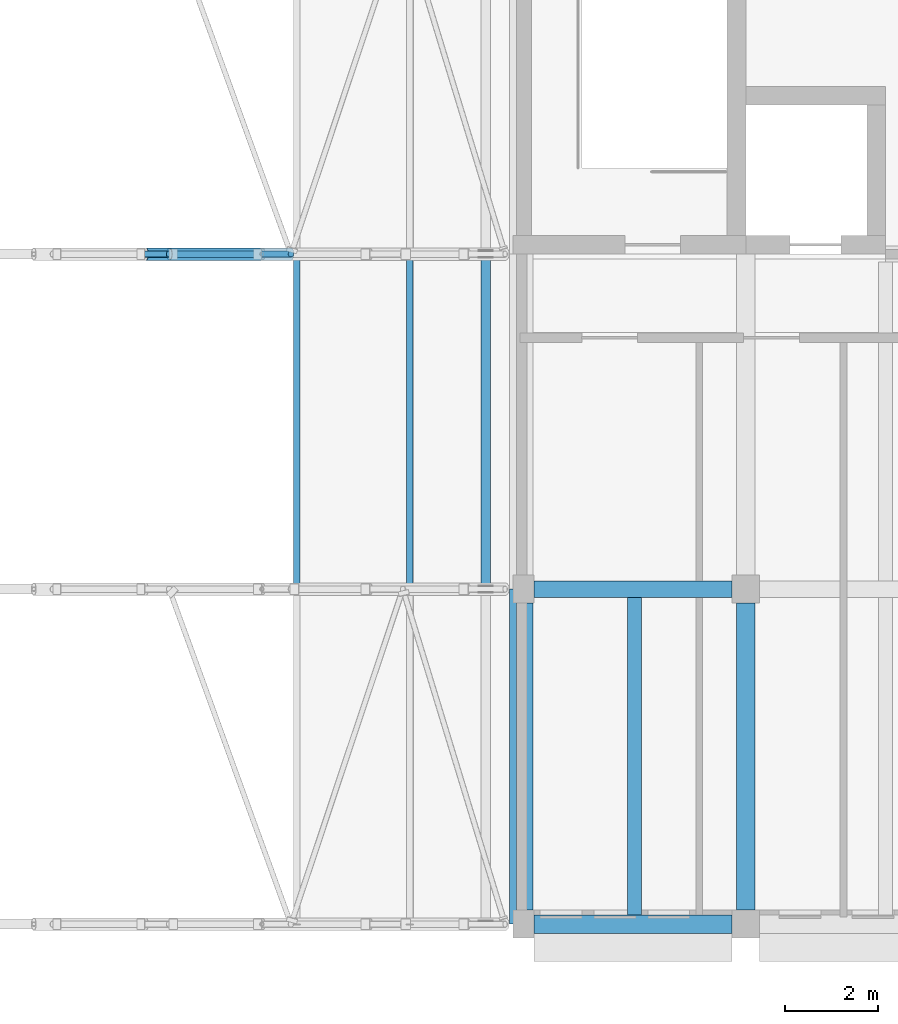
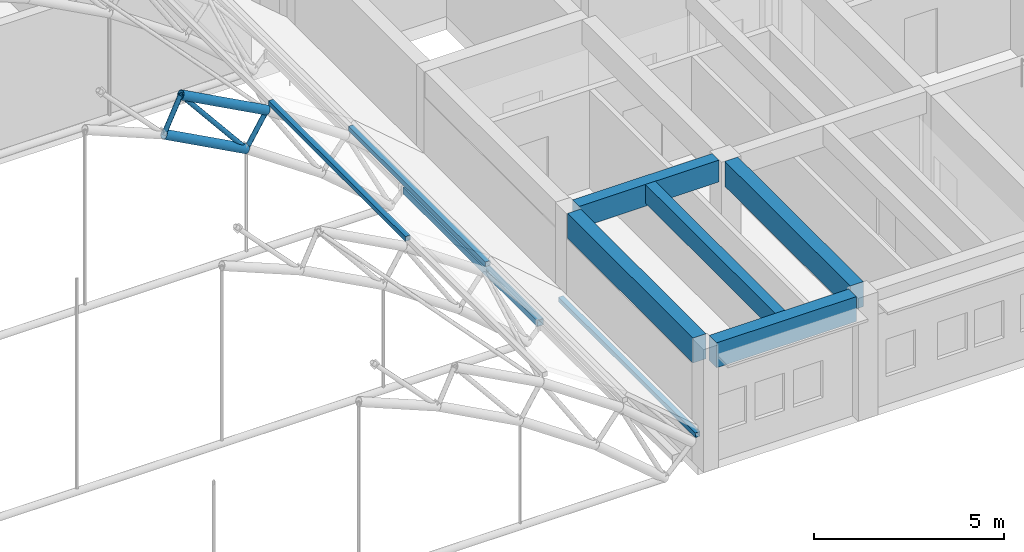
# One storey, part 20 of 101: 9 members, 5 beams.
"""IFC4 building model written with IfcOpenShell, lengths in metres."""

from ifc_helpers import new_model, si_unit, direction, frame, origin, origin_2d, place, context, subcontext, project, spatial, rectangle, hollow_rectangle, hollow_circle, extrude, material, material_profile, profile_set, type_object, element, save


model = new_model("IFC4")

# Units and contexts
model_context = context("Model", 3, precision=1e-05, world=origin(), true_north=direction((0.0, 1.0)))
body_context = subcontext(model_context, "Body", "Model", "MODEL_VIEW")
ifc_project = project(units=[si_unit("LENGTHUNIT", "METRE"), si_unit("AREAUNIT", "SQUARE_METRE"), si_unit("VOLUMEUNIT", "CUBIC_METRE"), si_unit("PLANEANGLEUNIT", "RADIAN"), si_unit("MASSUNIT", "GRAM", prefix="KILO")], contexts=[model_context])

# Site, building, storey
site_placement = place(None, origin())
site = spatial("IfcSite", under=ifc_project, at=site_placement, CompositionType="ELEMENT")
building_placement = place(site_placement, origin())
building = spatial("IfcBuilding", under=site, at=building_placement, Name="Laocheng Heights Fire and Rescue Headquarters", CompositionType="ELEMENT")
storey_placement = place(building_placement, frame((0.0, 0.0, 8.39990234375)))
storey = spatial("IfcBuildingStorey", under=building, at=storey_placement, Name="L02", CompositionType="ELEMENT", Elevation=8.39990234375)

# Members
ifc_material_1 = material(Name="Steel Q355B", Category="steel")
ifc_material_profile_1 = material_profile(ifc_material_1, hollow_circle(Radius=0.136474609375, WallThickness=0.011962890625, at=origin_2d()), Name="CHS 273x12")
ifc_profile_set_1 = profile_set([ifc_material_profile_1], Name="Steel Q355B")
member_type_1 = type_object("IfcMemberType", Name="BAY ROOF CHORD CHS 273x12", PredefinedType="CHORD", material=ifc_profile_set_1)
member_1_placement = place(storey_placement, frame((47.610107421875, 14.39990234375, 5.80810546875), z_axis=(0.880624173368, 0.0, -0.473815433771), x_axis=(0.0, 1.0, 0.0)))
element("IfcMember", 1, at=member_1_placement, inside=storey, type_object=member_type_1, Name="Truss TR3 upper chord 14", PredefinedType="CHORD", context=body_context, shape_type="SweptSolid", body=[
    extrude(hollow_circle(Radius=0.136474609375, WallThickness=0.011962890625, at=origin_2d()), origin(), (0.0, 0.0, 1.0), 2.969482421875),
])
member_2_placement = place(storey_placement, frame((47.10009765625, 14.39990234375, 4.72216796875), z_axis=(0.880645014109, 0.0, -0.473776697532), x_axis=(0.0, 1.0, 0.0)))
element("IfcMember", 2, at=member_2_placement, inside=storey, type_object=member_type_1, Name="Truss TR3 lower chord 14", PredefinedType="CHORD", context=body_context, shape_type="SweptSolid", body=[
    extrude(hollow_circle(Radius=0.136474609375, WallThickness=0.011962890625, at=origin_2d()), origin(), (0.0, 0.0, 1.0), 2.8388671875),
])
ifc_material_2 = material(Name="Steel Q355B", Category="steel")
ifc_material_profile_2 = material_profile(ifc_material_2, hollow_circle(Radius=0.06982421875, WallThickness=0.006103515625, at=origin_2d()), Name="CHS 139.7x6")
ifc_profile_set_2 = profile_set([ifc_material_profile_2], Name="Steel Q355B")
member_type_2 = type_object("IfcMemberType", Name="BAY ROOF DIAG CHS 139.7x6", PredefinedType="BRACE", material=ifc_profile_set_2)
member_3_placement = place(storey_placement, frame((49.60009765625, 14.39990234375, 3.377197265625), z_axis=(-0.633440900174, 0.0, 0.773791073861), x_axis=(0.0, -1.0, 0.0)))
element("IfcMember", 3, at=member_3_placement, inside=storey, type_object=member_type_2, Name="Truss diagonal TR3-14", PredefinedType="BRACE", context=body_context, shape_type="SweptSolid", body=[
    extrude(hollow_circle(Radius=0.06982421875, WallThickness=0.006103515625, at=origin_2d()), origin(), (0.0, 0.0, 1.0), 3.1416015625),
])
ifc_material_3 = material(Name="Steel Q355B", Category="steel")
ifc_material_profile_3 = material_profile(ifc_material_3, hollow_rectangle(XDim=0.199951171875, YDim=0.199951171875, WallThickness=0.008056640625, at=origin_2d()), Name="SHS 200x200x8")
ifc_profile_set_3 = profile_set([ifc_material_profile_3], Name="Steel Q355B")
member_type_3 = type_object("IfcMemberType", Name="BAY ROOF EAVES SHS 200x200x8", PredefinedType="STRUT", material=ifc_profile_set_3)
member_4_placement = place(storey_placement, frame((54.4140625, 7.269775390625, 0.4345703125), z_axis=(0.0, 1.0, 0.0), x_axis=(-1.0, 0.0, 0.0)))
element("IfcMember", 4, at=member_4_placement, inside=storey, type_object=member_type_3, Name="Eaves strut E2", PredefinedType="STRUT", context=body_context, shape_type="SweptSolid", body=[
    extrude(hollow_rectangle(XDim=0.199951171875, YDim=0.199951171875, WallThickness=0.008056640625, at=origin_2d()), origin(), (0.0, 0.0, 1.0), 7.060302734375),
])
ifc_material_4 = material(Name="Steel Q355B", Category="steel")
ifc_material_profile_4 = material_profile(ifc_material_4, hollow_circle(Radius=0.06982421875, WallThickness=0.006103515625, at=origin_2d()), Name="CHS 139.7x6")
ifc_profile_set_4 = profile_set([ifc_material_profile_4], Name="Steel Q355B")
member_type_4 = type_object("IfcMemberType", Name="BAY ROOF POST CHS 139.7x6", PredefinedType="POST", material=ifc_profile_set_4)
for number, where, z_axis, x_axis, name in (
    (5, (47.10009765625, 14.39990234375, 4.72216796875), (0.425101107328, 0.0, 0.90514587142), (0.0, 1.0, 0.0), "Truss TR3 radial post 13"),
    (6, (49.60009765625, 14.39990234375, 3.377197265625), (0.521005401076, 0.0, 0.853553379731), (0.0, 1.0, 0.0), "Truss TR3 radial post 14"),
):
    element("IfcMember", number, at=place(storey_placement, frame(where, z_axis=z_axis, x_axis=x_axis)), inside=storey, type_object=member_type_4, Name=name, PredefinedType="POST", context=body_context, shape_type="SweptSolid", body=[
        extrude(hollow_circle(Radius=0.06982421875, WallThickness=0.006103515625, at=origin_2d()), origin(), (0.0, 0.0, 1.0), 1.19970703125),
    ])
ifc_material_5 = material(Name="Steel Q355B", Category="steel")
ifc_material_profile_5 = material_profile(ifc_material_5, hollow_rectangle(XDim=0.14990234375, YDim=0.14990234375, WallThickness=0.008056640625, at=origin_2d()), Name="SHS 150x150x8")
ifc_profile_set_5 = profile_set([ifc_material_profile_5], Name="Steel Q355B")
member_type_5 = type_object("IfcMemberType", Name="BAY ROOF PURLIN SHS 150x150x8", PredefinedType="PURLIN", material=ifc_profile_set_5)
for number, where, z_axis, x_axis, name in (
    (7, (54.99560546875, 0.0, 1.045166015625), (0.0, 1.0, 0.0), (-1.0, 0.0, 0.0), "Purlin 17.1"),
    (8, (50.35009765625, 7.199951171875, 4.60595703125), (0.0, 1.0, 0.0), (-1.0, 0.0, 0.0), "Purlin 15.2"),
    (9, (52.778564453125, 7.199951171875, 2.941162109375), (0.0, 1.0, 0.0), (-1.0, 0.0, 0.0), "Purlin 16.2"),
):
    element("IfcMember", number, at=place(storey_placement, frame(where, z_axis=z_axis, x_axis=x_axis)), inside=storey, type_object=member_type_5, Name=name, PredefinedType="PURLIN", context=body_context, shape_type="SweptSolid", body=[
        extrude(hollow_rectangle(XDim=0.14990234375, YDim=0.14990234375, WallThickness=0.008056640625, at=origin_2d()), origin(), (0.0, 0.0, 1.0), 7.199951171875),
    ])

# Beams
ifc_material_6 = material(Name="Concrete C40", Category="concrete")
ifc_material_profile_6 = material_profile(ifc_material_6, rectangle(XDim=0.300048828125, YDim=0.60009765625, at=origin_2d()), Name="RC BEAM 300x600 PAVILION SECONDARY")
ifc_profile_set_6 = profile_set([ifc_material_profile_6], Name="Concrete C40")
beam_type_1 = type_object("IfcBeamType", Name="RC BEAM 300x600 PAVILION SECONDARY", PredefinedType="BEAM", material=ifc_profile_set_6)
beam_1_placement = place(storey_placement, frame((57.612548828125, 0.199951171875, 3.650146484375), z_axis=(0.0, 1.0, 0.0), x_axis=(-1.0, 0.0, 0.0)))
element("IfcBeam", 10, at=beam_1_placement, inside=storey, type_object=beam_type_1, Name="Pavilion secondary beam", PredefinedType="BEAM", context=body_context, shape_type="SweptSolid", body=[
    extrude(rectangle(XDim=0.300048828125, YDim=0.60009765625, at=origin_2d()), origin(), (0.0, 0.0, 1.0), 6.824951171875),
])
ifc_material_7 = material(Name="Concrete C40", Category="concrete")
ifc_material_profile_7 = material_profile(ifc_material_7, rectangle(XDim=0.35009765625, YDim=0.699951171875, at=origin_2d()), Name="RC BEAM 350x700 PAVILION ROOF")
ifc_profile_set_7 = profile_set([ifc_material_profile_7], Name="Concrete C40")
beam_type_2 = type_object("IfcBeamType", Name="RC BEAM 350x700 PAVILION ROOF", PredefinedType="BEAM", material=ifc_profile_set_7)
beam_2_placement = place(storey_placement, frame((55.449951171875, 7.199951171875, 3.60009765625), z_axis=(1.0, 0.0, 0.0), x_axis=(0.0, 1.0, 0.0)))
element("IfcBeam", 11, at=beam_2_placement, inside=storey, type_object=beam_type_2, Name="Pavilion beam", PredefinedType="BEAM", context=body_context, shape_type="SweptSolid", body=[
    extrude(rectangle(XDim=0.35009765625, YDim=0.699951171875, at=origin_2d()), origin(), (0.0, 0.0, 1.0), 4.25),
])
ifc_material_8 = material(Name="Concrete C40", Category="concrete")
ifc_material_profile_8 = material_profile(ifc_material_8, rectangle(XDim=0.39990234375, YDim=0.800048828125, at=origin_2d()), Name="RC BEAM 400x800 PAVILION FLOOR")
ifc_profile_set_8 = profile_set([ifc_material_profile_8], Name="Concrete C40")
beam_type_3 = type_object("IfcBeamType", Name="RC BEAM 400x800 PAVILION FLOOR", PredefinedType="BEAM", material=ifc_profile_set_8)
beam_3_placement = place(storey_placement, frame((55.449951171875, 0.0, 3.550048828125), z_axis=(1.0, 0.0, 0.0), x_axis=(0.0, 1.0, 0.0)))
element("IfcBeam", 12, at=beam_3_placement, inside=storey, type_object=beam_type_3, Name="Pavilion beam", PredefinedType="BEAM", context=body_context, shape_type="SweptSolid", body=[
    extrude(rectangle(XDim=0.39990234375, YDim=0.800048828125, at=origin_2d()), origin(), (0.0, 0.0, 1.0), 4.25),
])
ifc_material_9 = material(Name="Concrete C40", Category="concrete")
ifc_material_profile_9 = material_profile(ifc_material_9, rectangle(XDim=0.39990234375, YDim=0.800048828125, at=origin_2d()), Name="RC BEAM 400x800 PAVILION ROOF")
ifc_profile_set_9 = profile_set([ifc_material_profile_9], Name="Concrete C40")
beam_type_4 = type_object("IfcBeamType", Name="RC BEAM 400x800 PAVILION ROOF", PredefinedType="BEAM", material=ifc_profile_set_9)
for number, where, z_axis, x_axis, name in (
    (13, (55.22509765625, 0.300048828125, 3.550048828125), (0.0, 1.0, 0.0), (-1.0, 0.0, 0.0), "Pavilion beam"),
    (14, (60.0, 0.300048828125, 3.550048828125), (0.0, 1.0, 0.0), (-1.0, 0.0, 0.0), "Pavilion beam"),
):
    element("IfcBeam", number, at=place(storey_placement, frame(where, z_axis=z_axis, x_axis=x_axis)), inside=storey, type_object=beam_type_4, Name=name, PredefinedType="BEAM", context=body_context, shape_type="SweptSolid", body=[
        extrude(rectangle(XDim=0.39990234375, YDim=0.800048828125, at=origin_2d()), origin(), (0.0, 0.0, 1.0), 6.599853515625),
    ])

save(model, "model.ifc")
